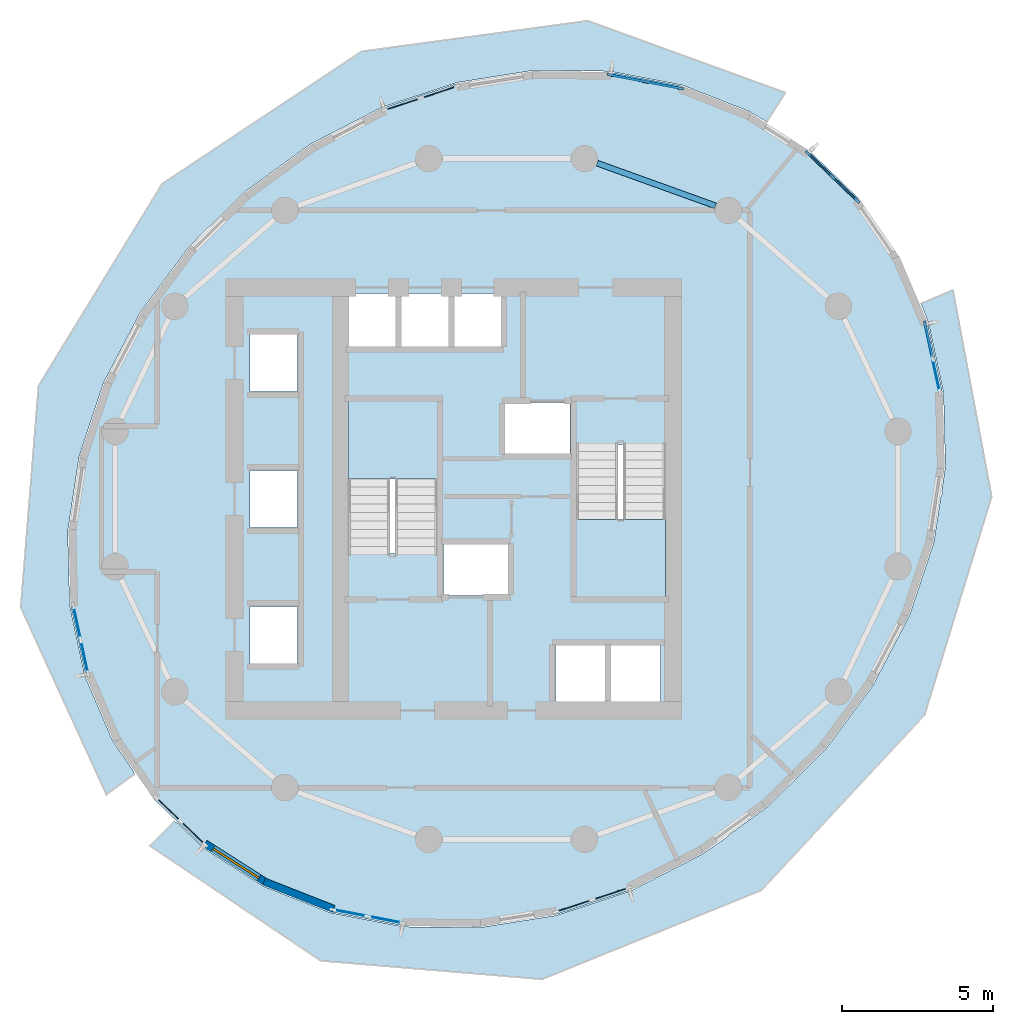
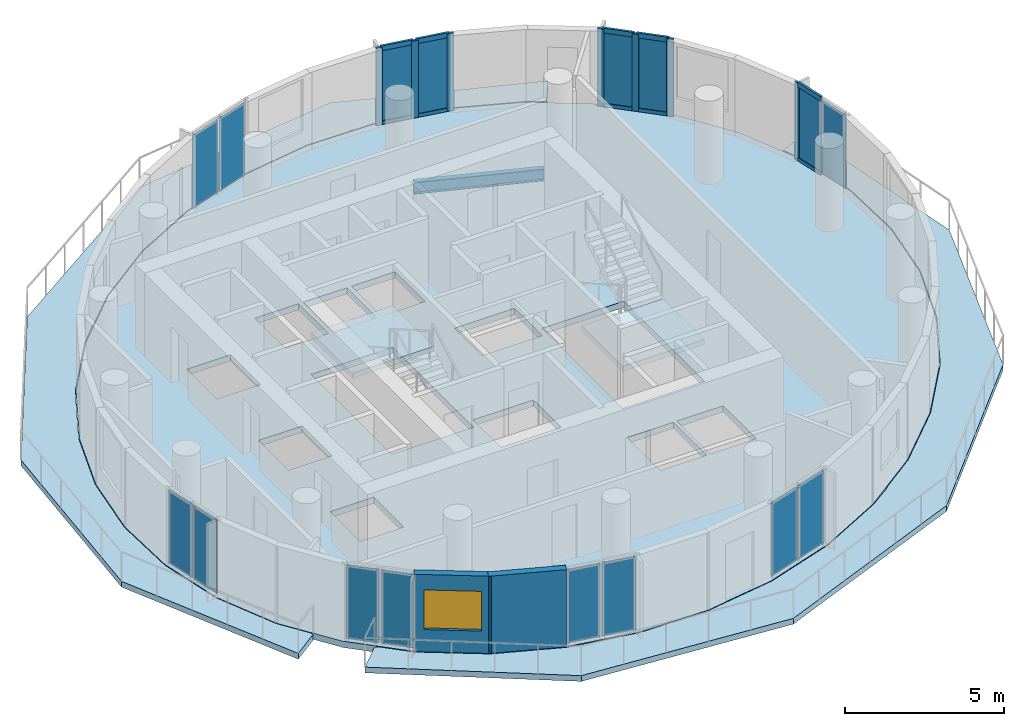
# One storey, part 2 of 9: 17 members, 16 plates, 5 slabs, 2 walls, 1 beam, 1 window, 1 opening, 10 elements without a shape of their own.
"""IFC4 building model written with IfcOpenShell, lengths in metres."""

from ifc_helpers import new_model, si_unit, direction, frame, frame_2d, origin, origin_2d, place, context, subcontext, project, spatial, polyline, rectangle, i_section, outline, extrude, material, layer, layer_set, material_profile, profile_set, type_object, element, fill, aggregate, save


model = new_model("IFC4")

# Units and contexts
model_context = context("Model", 3, precision=1e-05, world=origin(), true_north=direction((0.0, 1.0)))
body_context = subcontext(model_context, "Body", "Model", "MODEL_VIEW")
ifc_project = project(units=[si_unit("LENGTHUNIT", "METRE"), si_unit("AREAUNIT", "SQUARE_METRE"), si_unit("VOLUMEUNIT", "CUBIC_METRE"), si_unit("PLANEANGLEUNIT", "RADIAN"), si_unit("MASSUNIT", "GRAM", prefix="KILO")], contexts=[model_context])

# Site, building, storey
site_placement = place(None, origin())
site = spatial("IfcSite", under=ifc_project, at=site_placement, CompositionType="ELEMENT")
building_placement = place(site_placement, origin())
building = spatial("IfcBuilding", under=site, at=building_placement, Name="Veldorim Arch Residences", CompositionType="ELEMENT")
storey_placement = place(building_placement, frame((0.0, 0.0, 163.0400390625)))
storey = spatial("IfcBuildingStorey", under=building, at=storey_placement, Name="L48", CompositionType="ELEMENT", Elevation=163.0400390625)

# Curtain wall, members
ifc_material_1 = material(Name="Aluminium", Category="aluminium")
curtain_wall_type = type_object("IfcCurtainWallType", Name="Sky Lounge & Conservatory Tall Curtain Wall", PredefinedType="NOTDEFINED", material=ifc_material_1)
curtain_wall_1_placement = place(storey_placement, origin())
curtain_wall_1 = element("IfcCurtainWall", 1, at=curtain_wall_1_placement, inside=storey, type_object=curtain_wall_type, Name="L48 unitised curtain wall bay 01", PredefinedType="NOTDEFINED")
ifc_material_2 = material(Name="Aluminium", Category="aluminium")
ifc_material_profile_1 = material_profile(ifc_material_2, rectangle(XDim=0.080078125, YDim=0.219970703125, at=origin_2d()), Name="ALU_MUL_80x220")
ifc_profile_set_1 = profile_set([ifc_material_profile_1], Name="Aluminium")
member_type_1 = type_object("IfcMemberType", Name="Sky Lounge & Conservatory Tall Curtain Wall Mullion 80x220", PredefinedType="MULLION", material=ifc_profile_set_1)
member_1_placement = place(storey_placement, frame((41.972900390625, 35.433349609375, 0.0), z_axis=(0.0, 0.0, 1.0), x_axis=(0.693821051004, 0.720147449612, 0.0)))
member_1 = element("IfcMember", 2, at=member_1_placement, type_object=member_type_1, Name="CW-SKY mullion 1", PredefinedType="MULLION", context=body_context, shape_type="SweptSolid", body=[
    extrude(rectangle(XDim=0.080078125, YDim=0.219970703125, at=origin_2d()), origin(), (0.0, 0.0, 1.0), 2.9599609375),
])
member_2_placement = place(storey_placement, frame((42.78125, 34.654541015625, 0.0), z_axis=(0.0, 0.0, 1.0), x_axis=(0.693821051004, 0.720147449612, 0.0)))
member_2 = element("IfcMember", 3, at=member_2_placement, type_object=member_type_1, Name="CW-SKY mullion 2", PredefinedType="MULLION", context=body_context, shape_type="SweptSolid", body=[
    extrude(rectangle(XDim=0.080078125, YDim=0.219970703125, at=origin_2d()), origin(), (0.0, 0.0, 1.0), 2.9599609375),
])
member_3_placement = place(storey_placement, frame((43.58935546875, 33.875732421875, 0.0), z_axis=(0.0, 0.0, 1.0), x_axis=(0.693821051004, 0.720147449612, 0.0)))
member_3 = element("IfcMember", 4, at=member_3_placement, type_object=member_type_1, Name="CW-SKY mullion 3", PredefinedType="MULLION", context=body_context, shape_type="SweptSolid", body=[
    extrude(rectangle(XDim=0.080078125, YDim=0.219970703125, at=origin_2d()), origin(), (0.0, 0.0, 1.0), 2.9599609375),
])

curtain_wall_2_placement = place(storey_placement, origin())
curtain_wall_2 = element("IfcCurtainWall", 5, at=curtain_wall_2_placement, inside=storey, type_object=curtain_wall_type, Name="L48 unitised curtain wall bay 04", PredefinedType="NOTDEFINED")
member_4_placement = place(storey_placement, frame((35.43017578125, 38.02587890625, 0.0), z_axis=(0.0, 0.0, 1.0), x_axis=(0.187958808653, 0.98217691189, 0.0)))
member_4 = element("IfcMember", 6, at=member_4_placement, type_object=member_type_1, Name="CW-SKY mullion 1", PredefinedType="MULLION", context=body_context, shape_type="SweptSolid", body=[
    extrude(rectangle(XDim=0.080078125, YDim=0.219970703125, at=origin_2d()), origin(), (0.0, 0.0, 1.0), 2.9599609375),
])
member_5_placement = place(storey_placement, frame((36.590087890625, 37.8037109375, 0.0), z_axis=(0.0, 0.0, 1.0), x_axis=(0.187958808653, 0.98217691189, 0.0)))
member_5 = element("IfcMember", 7, at=member_5_placement, type_object=member_type_1, Name="CW-SKY mullion 2", PredefinedType="MULLION", context=body_context, shape_type="SweptSolid", body=[
    extrude(rectangle(XDim=0.080078125, YDim=0.219970703125, at=origin_2d()), origin(), (0.0, 0.0, 1.0), 2.9599609375),
])
member_6_placement = place(storey_placement, frame((37.75, 37.581787109375, 0.0), z_axis=(0.0, 0.0, 1.0), x_axis=(0.187958808653, 0.98217691189, 0.0)))
member_6 = element("IfcMember", 8, at=member_6_placement, type_object=member_type_1, Name="CW-SKY mullion 3", PredefinedType="MULLION", context=body_context, shape_type="SweptSolid", body=[
    extrude(rectangle(XDim=0.080078125, YDim=0.219970703125, at=origin_2d()), origin(), (0.0, 0.0, 1.0), 2.9599609375),
])

# Curtain wall, member
curtain_wall_3_placement = place(storey_placement, origin())
curtain_wall_3 = element("IfcCurtainWall", 9, at=curtain_wall_3_placement, inside=storey, type_object=curtain_wall_type, Name="L48 unitised curtain wall bay 34", PredefinedType="NOTDEFINED")
member_7_placement = place(storey_placement, frame((45.844482421875, 29.78369140625, 0.0), z_axis=(0.0, 0.0, 1.0), x_axis=(0.977731263882, 0.209860848248, 0.0)))
member_7 = element("IfcMember", 10, at=member_7_placement, type_object=member_type_1, Name="CW-SKY mullion 1", PredefinedType="MULLION", context=body_context, shape_type="SweptSolid", body=[
    extrude(rectangle(XDim=0.080078125, YDim=0.219970703125, at=origin_2d()), origin(), (0.0, 0.0, 1.0), 2.9599609375),
])

# Member
ifc_material_3 = material(Name="Aluminium", Category="aluminium")
ifc_material_profile_2 = material_profile(ifc_material_3, rectangle(XDim=0.080078125, YDim=0.18505859375, at=origin_2d()), Name="ALU_TRN_80x185")
ifc_profile_set_2 = profile_set([ifc_material_profile_2], Name="Aluminium")
member_type_2 = type_object("IfcMemberType", Name="Sky Lounge & Conservatory Tall Curtain Wall Transom 80x185", PredefinedType="USERDEFINED", material=ifc_profile_set_2)
member_8_placement = place(storey_placement, frame((42.001708984375, 35.405517578125, 0.0400390625), z_axis=(0.720216183195, -0.693749702316, 0.0), x_axis=(0.693749702316, 0.720216183195, 0.0)))
member_8 = element("IfcMember", 11, at=member_8_placement, type_object=member_type_2, Name="CW-SKY transom 1.1", ObjectType="TRANSOM", PredefinedType="USERDEFINED", context=body_context, shape_type="SweptSolid", body=[
    extrude(rectangle(XDim=0.080078125, YDim=0.18505859375, at=origin_2d()), origin(), (0.0, 0.0, 1.0), 1.04248046875),
])

member_9_placement = place(storey_placement, frame((42.001708984375, 35.405517578125, 2.919921875), z_axis=(0.720216183195, -0.693749702316, 0.0), x_axis=(0.693749702316, 0.720216183195, 0.0)))
member_9 = element("IfcMember", 12, at=member_9_placement, type_object=member_type_2, Name="CW-SKY transom 1.2", ObjectType="TRANSOM", PredefinedType="USERDEFINED", context=body_context, shape_type="SweptSolid", body=[
    extrude(rectangle(XDim=0.080078125, YDim=0.18505859375, at=origin_2d()), origin(), (0.0, 0.0, 1.0), 1.04248046875),
])

member_10_placement = place(storey_placement, frame((42.81005859375, 34.626708984375, 0.0400390625), z_axis=(0.720103428854, -0.693866739189, 0.0), x_axis=(0.693866739189, 0.720103428854, 0.0)))
member_10 = element("IfcMember", 13, at=member_10_placement, type_object=member_type_2, Name="CW-SKY transom 2.1", ObjectType="TRANSOM", PredefinedType="USERDEFINED", context=body_context, shape_type="SweptSolid", body=[
    extrude(rectangle(XDim=0.080078125, YDim=0.18505859375, at=origin_2d()), origin(), (0.0, 0.0, 1.0), 1.042236328125),
])

member_11_placement = place(storey_placement, frame((42.81005859375, 34.626708984375, 2.919921875), z_axis=(0.720103428854, -0.693866739189, 0.0), x_axis=(0.693866739189, 0.720103428854, 0.0)))
member_11 = element("IfcMember", 14, at=member_11_placement, type_object=member_type_2, Name="CW-SKY transom 2.2", ObjectType="TRANSOM", PredefinedType="USERDEFINED", context=body_context, shape_type="SweptSolid", body=[
    extrude(rectangle(XDim=0.080078125, YDim=0.18505859375, at=origin_2d()), origin(), (0.0, 0.0, 1.0), 1.042236328125),
])

member_12_placement = place(storey_placement, frame((35.469482421875, 38.018310546875, 0.0400390625), z_axis=(0.982159549289, -0.188049514066, 0.0), x_axis=(0.188049514066, 0.982159549289, 0.0)))
member_12 = element("IfcMember", 15, at=member_12_placement, type_object=member_type_2, Name="CW-SKY transom 1.1", ObjectType="TRANSOM", PredefinedType="USERDEFINED", context=body_context, shape_type="SweptSolid", body=[
    extrude(rectangle(XDim=0.080078125, YDim=0.18505859375, at=origin_2d()), origin(), (0.0, 0.0, 1.0), 1.100830078125),
])

member_13_placement = place(storey_placement, frame((35.469482421875, 38.018310546875, 2.919921875), z_axis=(0.982159549289, -0.188049514066, 0.0), x_axis=(0.188049514066, 0.982159549289, 0.0)))
member_13 = element("IfcMember", 16, at=member_13_placement, type_object=member_type_2, Name="CW-SKY transom 1.2", ObjectType="TRANSOM", PredefinedType="USERDEFINED", context=body_context, shape_type="SweptSolid", body=[
    extrude(rectangle(XDim=0.080078125, YDim=0.18505859375, at=origin_2d()), origin(), (0.0, 0.0, 1.0), 1.100830078125),
])

member_14_placement = place(storey_placement, frame((36.62939453125, 37.79638671875, 0.0400390625), z_axis=(0.982167388619, -0.188008565587, 0.0), x_axis=(0.188008565587, 0.982167388619, 0.0)))
member_14 = element("IfcMember", 17, at=member_14_placement, type_object=member_type_2, Name="CW-SKY transom 2.1", ObjectType="TRANSOM", PredefinedType="USERDEFINED", context=body_context, shape_type="SweptSolid", body=[
    extrude(rectangle(XDim=0.080078125, YDim=0.18505859375, at=origin_2d()), origin(), (0.0, 0.0, 1.0), 1.10107421875),
])

member_15_placement = place(storey_placement, frame((36.62939453125, 37.79638671875, 2.919921875), z_axis=(0.982167388619, -0.188008565587, 0.0), x_axis=(0.188008565587, 0.982167388619, 0.0)))
member_15 = element("IfcMember", 18, at=member_15_placement, type_object=member_type_2, Name="CW-SKY transom 2.2", ObjectType="TRANSOM", PredefinedType="USERDEFINED", context=body_context, shape_type="SweptSolid", body=[
    extrude(rectangle(XDim=0.080078125, YDim=0.18505859375, at=origin_2d()), origin(), (0.0, 0.0, 1.0), 1.10107421875),
])

member_16_placement = place(storey_placement, frame((45.852783203125, 29.744384765625, 0.0400390625), z_axis=(0.209870698833, -0.977729149494, 0.0), x_axis=(0.977729149494, 0.209870698833, 0.0)))
member_16 = element("IfcMember", 19, at=member_16_placement, type_object=member_type_2, Name="CW-SKY transom 1.1", ObjectType="TRANSOM", PredefinedType="USERDEFINED", context=body_context, shape_type="SweptSolid", body=[
    extrude(rectangle(XDim=0.080078125, YDim=0.18505859375, at=origin_2d()), origin(), (0.0, 0.0, 1.0), 1.07373046875),
])

member_17_placement = place(storey_placement, frame((45.852783203125, 29.744384765625, 2.919921875), z_axis=(0.209870698833, -0.977729149494, 0.0), x_axis=(0.977729149494, 0.209870698833, 0.0)))
member_17 = element("IfcMember", 20, at=member_17_placement, type_object=member_type_2, Name="CW-SKY transom 1.2", ObjectType="TRANSOM", PredefinedType="USERDEFINED", context=body_context, shape_type="SweptSolid", body=[
    extrude(rectangle(XDim=0.080078125, YDim=0.18505859375, at=origin_2d()), origin(), (0.0, 0.0, 1.0), 1.07373046875),
])

# Beam
ifc_material_4 = material(Name="Steel S355", Category="steel")
ifc_material_profile_3 = material_profile(ifc_material_4, i_section(OverallWidth=0.19140625, OverallDepth=0.4599609375, WebThickness=0.010009765625, FlangeThickness=0.01611328125, at=origin_2d()), Name="UB457x191x82")
ifc_profile_set_3 = profile_set([ifc_material_profile_3], Name="Steel S355")
beam_type = type_object("IfcBeamType", Name="Structural Steel Spandrel UB457x191x82", PredefinedType="SPANDREL", material=ifc_profile_set_3)
beam_placement = place(storey_placement, frame((38.91015625, 33.69775390625, -0.469970703125), z_axis=(-0.940811035395, 0.338931550137, 0.0), x_axis=(-0.338931550137, -0.940811035395, 0.0)))
element("IfcBeam", 21, at=beam_placement, inside=storey, type_object=beam_type, Name="L48 perimeter ring tie beam 03", PredefinedType="SPANDREL", context=body_context, shape_type="SweptSolid", body=[
    extrude(i_section(OverallWidth=0.19140625, OverallDepth=0.4599609375, WebThickness=0.010009765625, FlangeThickness=0.01611328125, at=origin_2d()), origin(), (0.0, 0.0, 1.0), 4.15771484375),
])

# Slabs
ifc_material_5 = material(Name="Concrete C40/50", Category="concrete")
ifc_layer_1 = layer(ifc_material_5, 0.219970703125, Name="Planted Crescent Cantilever Balcony Slab 220")
ifc_layer_set_1 = layer_set([ifc_layer_1], Name="Concrete C40/50")
slab_type_1 = type_object("IfcSlabType", Name="Planted Crescent Cantilever Balcony Slab 220", PredefinedType="FLOOR", material=ifc_layer_set_1)
slab_1_placement = place(storey_placement, frame((0.0, 0.0, -0.219970703125)))
element("IfcSlab", 22, at=slab_1_placement, inside=storey, type_object=slab_type_1, Name="L48 planted crescent balcony slab A", PredefinedType="FLOOR", context=body_context, shape_type="SweptSolid", body=[
    extrude(outline(polyline([(40.608642578125, 36.47314453125), (40.039794921875, 36.810791015625), (37.813232421875, 37.686767578125), (35.410400390625, 38.146728515625), (34.60693359375, 38.15625), (34.51416015625, 38.182373046875), (34.389892578125, 38.158935546875), (32.904052734375, 38.176513671875), (30.370361328125, 37.77587890625), (27.88623046875, 36.956787109375), (25.52734375, 35.744140625), (23.364990234375, 34.1748046875), (22.23291015625, 33.055908203125), (22.132568359375, 32.987060546875), (21.46484375, 32.29638671875), (19.884765625, 30.166259765625), (18.672607421875, 27.848388671875), (17.864990234375, 25.413818359375), (17.487060546875, 22.935791015625), (17.550048828125, 20.489990234375), (18.052001953125, 18.15087890625), (18.978271484375, 15.989013671875), (19.647216796875, 15.0185546875), (19.6923828125, 14.8955078125), (18.76123046875, 14.220947265625), (15.9287109375, 20.412841796875), (16.516845703125, 27.74609375), (20.603759765625, 34.4267578125), (27.201904296875, 38.805908203125), (34.688720703125, 39.820556640625), (41.226318359375, 37.443359375), (40.608642578125, 36.47314453125)])), origin(), (0.0, 0.0, 1.0), 0.219970703125),
])
slab_2_placement = place(storey_placement, frame((0.0, 0.0, -0.219970703125)))
element("IfcSlab", 23, at=slab_2_placement, inside=storey, type_object=slab_type_1, Name="L48 planted crescent balcony slab B", PredefinedType="FLOOR", context=body_context, shape_type="SweptSolid", body=[
    extrude(outline(polyline([(21.129150390625, 13.272216796875), (21.977783203125, 12.45458984375), (23.960205078125, 11.189208984375), (26.186767578125, 10.313232421875), (28.589599609375, 9.853271484375), (31.095947265625, 9.823486328125), (33.629638671875, 10.22412109375), (36.11376953125, 11.043212890625), (38.47265625, 12.255859375), (39.2626953125, 12.80224609375), (39.347412109375, 12.890625), (40.635009765625, 13.8251953125), (42.53515625, 15.70361328125), (44.115234375, 17.833740234375), (45.327392578125, 20.151611328125), (46.135009765625, 22.586181640625), (46.35888671875, 24.055419921875), (46.40234375, 24.17431640625), (46.391845703125, 24.27001953125), (46.512939453125, 25.064208984375), (46.449951171875, 27.510009765625), (45.947998046875, 29.84912109375), (45.707275390625, 30.465576171875), (46.764892578125, 30.9169921875), (48.04736328125, 24.079833984375), (45.82861328125, 16.857666015625), (40.4345703125, 11.059814453125), (33.17822265625, 8.11376953125), (25.8466796875, 8.72607421875), (20.197998046875, 12.52783203125), (21.01513671875, 13.337158203125), (21.129150390625, 13.272216796875)])), origin(), (0.0, 0.0, 1.0), 0.219970703125),
])

# Stair, slab
ifc_material_6 = material(Name="Concrete C40/50", Category="concrete")
stair_type = type_object("IfcStairType", Name="Reinforced Concrete Dogleg Exit Staircase", PredefinedType="HALF_TURN_STAIR", material=ifc_material_6)
stair_1_placement = place(storey_placement, origin())
stair_1 = element("IfcStair", 24, at=stair_1_placement, inside=storey, type_object=stair_type, Name="L48 Exit Staircase ST-1", PredefinedType="HALF_TURN_STAIR")
ifc_material_7 = material(Name="Concrete C40/50", Category="concrete")
ifc_layer_2 = layer(ifc_material_7, 0.199951171875, Name="Reinforced Concrete Stair Landing 200")
ifc_layer_set_2 = layer_set([ifc_layer_2], Name="Concrete C40/50")
slab_type_2 = type_object("IfcSlabType", Name="Reinforced Concrete Stair Landing 200", PredefinedType="LANDING", material=ifc_layer_set_2)
slab_3_placement = place(storey_placement, frame((0.0, 0.0, 1.39990234375)))
slab_3 = element("IfcSlab", 25, at=slab_3_placement, type_object=slab_type_2, Name="ST-1 landing 1", PredefinedType="LANDING", context=body_context, shape_type="SweptSolid", body=[
    extrude(outline(polyline([(29.7099609375, 24.669921875), (29.7099609375, 27.25), (26.75, 27.25), (26.75, 24.669921875), (29.7099609375, 24.669921875)])), origin(), (0.0, 0.0, 1.0), 0.199951171875),
])
aggregate(stair_1, [slab_3])

stair_2_placement = place(storey_placement, origin())
stair_2 = element("IfcStair", 26, at=stair_2_placement, inside=storey, type_object=stair_type, Name="L48 Exit Staircase ST-2", PredefinedType="HALF_TURN_STAIR")
slab_4_placement = place(storey_placement, frame((0.0, 0.0, 1.39990234375)))
slab_4 = element("IfcSlab", 27, at=slab_4_placement, type_object=slab_type_2, Name="ST-2 landing 1", PredefinedType="LANDING", context=body_context, shape_type="SweptSolid", body=[
    extrude(outline(polyline([(34.2900390625, 23.330078125), (34.2900390625, 20.75), (37.25, 20.75), (37.25, 23.330078125), (34.2900390625, 23.330078125)])), origin(), (0.0, 0.0, 1.0), 0.199951171875),
])
aggregate(stair_2, [slab_4])

# Plate
ifc_material_8 = material(Name="Laminated Low-E Glass", Category="glass")
ifc_layer_3 = layer(ifc_material_8, 0.031982421875, Name="Sky Lounge & Conservatory Tall Curtain Wall Glazing Panel 32")
ifc_layer_set_3 = layer_set([ifc_layer_3], Name="Laminated Low-E Glass")
plate_type = type_object("IfcPlateType", Name="Sky Lounge & Conservatory Tall Curtain Wall Glazing Panel 32", PredefinedType="CURTAIN_PANEL", material=ifc_layer_set_3)
plate_1_placement = place(storey_placement, frame((42.376953125, 35.0439453125, 0.080078125), z_axis=(0.0, 0.0, 1.0), x_axis=(0.720147449612, -0.693821051004, 0.0)))
plate_1 = element("IfcPlate", 28, at=plate_1_placement, type_object=plate_type, Name="CW-SKY panel 1.1", PredefinedType="CURTAIN_PANEL", context=body_context, shape_type="SweptSolid", body=[
    extrude(rectangle(XDim=1.042236328125, YDim=0.031982421875, at=origin_2d()), origin(), (0.0, 0.0, 1.0), 2.800048828125),
])

plate_2_placement = place(storey_placement, frame((43.185302734375, 34.26513671875, 0.080078125), z_axis=(0.0, 0.0, 1.0), x_axis=(0.720147449612, -0.693821051004, 0.0)))
plate_2 = element("IfcPlate", 29, at=plate_2_placement, type_object=plate_type, Name="CW-SKY panel 2.1", PredefinedType="CURTAIN_PANEL", context=body_context, shape_type="SweptSolid", body=[
    extrude(rectangle(XDim=1.042236328125, YDim=0.031982421875, at=origin_2d()), origin(), (0.0, 0.0, 1.0), 2.800048828125),
])

aggregate(curtain_wall_1, [member_1, member_2, member_3, member_8, member_9, plate_1, member_10, member_11, plate_2])

plate_3_placement = place(storey_placement, frame((36.01025390625, 37.914794921875, 0.080078125), z_axis=(0.0, 0.0, 1.0), x_axis=(0.98217691189, -0.187958808653, 0.0)))
plate_3 = element("IfcPlate", 30, at=plate_3_placement, type_object=plate_type, Name="CW-SKY panel 1.1", PredefinedType="CURTAIN_PANEL", context=body_context, shape_type="SweptSolid", body=[
    extrude(rectangle(XDim=1.10107421875, YDim=0.031982421875, at=origin_2d()), origin(), (0.0, 0.0, 1.0), 2.800048828125),
])

plate_4_placement = place(storey_placement, frame((37.170166015625, 37.69287109375, 0.080078125), z_axis=(0.0, 0.0, 1.0), x_axis=(0.98217691189, -0.187958808653, 0.0)))
plate_4 = element("IfcPlate", 31, at=plate_4_placement, type_object=plate_type, Name="CW-SKY panel 2.1", PredefinedType="CURTAIN_PANEL", context=body_context, shape_type="SweptSolid", body=[
    extrude(rectangle(XDim=1.10107421875, YDim=0.031982421875, at=origin_2d()), origin(), (0.0, 0.0, 1.0), 2.800048828125),
])

aggregate(curtain_wall_2, [member_4, member_5, member_6, member_12, member_13, plate_3, member_14, member_15, plate_4])

# Curtain wall, plates
curtain_wall_4_placement = place(storey_placement, origin())
curtain_wall_4 = element("IfcCurtainWall", 32, at=curtain_wall_4_placement, inside=storey, type_object=curtain_wall_type, Name="L48 unitised curtain wall bay 07", PredefinedType="NOTDEFINED")
plate_5_placement = place(storey_placement, frame((28.563232421875, 37.058837890625, 0.080078125), z_axis=(0.0, 0.0, 1.0), x_axis=(0.949693125258, 0.313182004333, 0.0)))
plate_5 = element("IfcPlate", 33, at=plate_5_placement, type_object=plate_type, Name="CW-SKY panel 1.1", PredefinedType="CURTAIN_PANEL", context=body_context, shape_type="SweptSolid", body=[
    extrude(rectangle(XDim=1.185791015625, YDim=0.031982421875, at=origin_2d()), origin(), (0.0, 0.0, 1.0), 2.800048828125),
])
plate_6_placement = place(storey_placement, frame((29.765380859375, 37.455322265625, 0.080078125), z_axis=(0.0, 0.0, 1.0), x_axis=(0.949693125258, 0.313182004333, 0.0)))
plate_6 = element("IfcPlate", 34, at=plate_6_placement, type_object=plate_type, Name="CW-SKY panel 2.1", PredefinedType="CURTAIN_PANEL", context=body_context, shape_type="SweptSolid", body=[
    extrude(rectangle(XDim=1.185791015625, YDim=0.031982421875, at=origin_2d()), origin(), (0.0, 0.0, 1.0), 2.800048828125),
])
aggregate(curtain_wall_4, [plate_5, plate_6])

curtain_wall_5_placement = place(storey_placement, origin())
curtain_wall_5 = element("IfcCurtainWall", 35, at=curtain_wall_5_placement, inside=storey, type_object=curtain_wall_type, Name="L48 unitised curtain wall bay 16", PredefinedType="NOTDEFINED")
plate_7_placement = place(storey_placement, frame((18.034423828125, 18.780517578125, 0.080078125), z_axis=(0.0, 0.0, 1.0), x_axis=(-0.209860848248, 0.977731263882, 0.0)))
plate_7 = element("IfcPlate", 36, at=plate_7_placement, type_object=plate_type, Name="CW-SKY panel 1.1", PredefinedType="CURTAIN_PANEL", context=body_context, shape_type="SweptSolid", body=[
    extrude(rectangle(XDim=1.073974609375, YDim=0.031982421875, at=origin_2d()), origin(), (0.0, 0.0, 1.0), 2.800048828125),
])
plate_8_placement = place(storey_placement, frame((17.79248046875, 19.90869140625, 0.080078125), z_axis=(0.0, 0.0, 1.0), x_axis=(-0.209860848248, 0.977731263882, 0.0)))
plate_8 = element("IfcPlate", 37, at=plate_8_placement, type_object=plate_type, Name="CW-SKY panel 2.1", PredefinedType="CURTAIN_PANEL", context=body_context, shape_type="SweptSolid", body=[
    extrude(rectangle(XDim=1.073974609375, YDim=0.031982421875, at=origin_2d()), origin(), (0.0, 0.0, 1.0), 2.800048828125),
])
aggregate(curtain_wall_5, [plate_7, plate_8])

curtain_wall_6_placement = place(storey_placement, origin())
curtain_wall_6 = element("IfcCurtainWall", 38, at=curtain_wall_6_placement, inside=storey, type_object=curtain_wall_type, Name="L48 unitised curtain wall bay 19", PredefinedType="NOTDEFINED")
plate_9_placement = place(storey_placement, frame((21.623046875, 12.9560546875, 0.080078125), z_axis=(0.0, 0.0, 1.0), x_axis=(-0.720147449612, 0.693821051004, 0.0)))
plate_9 = element("IfcPlate", 39, at=plate_9_placement, type_object=plate_type, Name="CW-SKY panel 1.1", PredefinedType="CURTAIN_PANEL", context=body_context, shape_type="SweptSolid", body=[
    extrude(rectangle(XDim=1.042236328125, YDim=0.031982421875, at=origin_2d()), origin(), (0.0, 0.0, 1.0), 2.800048828125),
])
plate_10_placement = place(storey_placement, frame((20.814697265625, 13.73486328125, 0.080078125), z_axis=(0.0, 0.0, 1.0), x_axis=(-0.720147449612, 0.693821051004, 0.0)))
plate_10 = element("IfcPlate", 40, at=plate_10_placement, type_object=plate_type, Name="CW-SKY panel 2.1", PredefinedType="CURTAIN_PANEL", context=body_context, shape_type="SweptSolid", body=[
    extrude(rectangle(XDim=1.042236328125, YDim=0.031982421875, at=origin_2d()), origin(), (0.0, 0.0, 1.0), 2.800048828125),
])
aggregate(curtain_wall_6, [plate_9, plate_10])

curtain_wall_7_placement = place(storey_placement, origin())
curtain_wall_7 = element("IfcCurtainWall", 41, at=curtain_wall_7_placement, inside=storey, type_object=curtain_wall_type, Name="L48 unitised curtain wall bay 22", PredefinedType="NOTDEFINED")
plate_11_placement = place(storey_placement, frame((27.98974609375, 10.085205078125, 0.080078125), z_axis=(0.0, 0.0, 1.0), x_axis=(-0.98217691189, 0.187958808653, 0.0)))
plate_11 = element("IfcPlate", 42, at=plate_11_placement, type_object=plate_type, Name="CW-SKY panel 1.1", PredefinedType="CURTAIN_PANEL", context=body_context, shape_type="SweptSolid", body=[
    extrude(rectangle(XDim=1.10107421875, YDim=0.031982421875, at=origin_2d()), origin(), (0.0, 0.0, 1.0), 2.800048828125),
])
plate_12_placement = place(storey_placement, frame((26.829833984375, 10.30712890625, 0.080078125), z_axis=(0.0, 0.0, 1.0), x_axis=(-0.98217691189, 0.187958808653, 0.0)))
plate_12 = element("IfcPlate", 43, at=plate_12_placement, type_object=plate_type, Name="CW-SKY panel 2.1", PredefinedType="CURTAIN_PANEL", context=body_context, shape_type="SweptSolid", body=[
    extrude(rectangle(XDim=1.10107421875, YDim=0.031982421875, at=origin_2d()), origin(), (0.0, 0.0, 1.0), 2.800048828125),
])
aggregate(curtain_wall_7, [plate_11, plate_12])

curtain_wall_8_placement = place(storey_placement, origin())
curtain_wall_8 = element("IfcCurtainWall", 44, at=curtain_wall_8_placement, inside=storey, type_object=curtain_wall_type, Name="L48 unitised curtain wall bay 25", PredefinedType="NOTDEFINED")
plate_13_placement = place(storey_placement, frame((35.436767578125, 10.941162109375, 0.080078125), z_axis=(0.0, 0.0, 1.0), x_axis=(-0.949693125258, -0.313182004333, 0.0)))
plate_13 = element("IfcPlate", 45, at=plate_13_placement, type_object=plate_type, Name="CW-SKY panel 1.1", PredefinedType="CURTAIN_PANEL", context=body_context, shape_type="SweptSolid", body=[
    extrude(rectangle(XDim=1.185791015625, YDim=0.031982421875, at=origin_2d()), origin(), (0.0, 0.0, 1.0), 2.800048828125),
])
plate_14_placement = place(storey_placement, frame((34.234619140625, 10.544677734375, 0.080078125), z_axis=(0.0, 0.0, 1.0), x_axis=(-0.949693125258, -0.313182004333, 0.0)))
plate_14 = element("IfcPlate", 46, at=plate_14_placement, type_object=plate_type, Name="CW-SKY panel 2.1", PredefinedType="CURTAIN_PANEL", context=body_context, shape_type="SweptSolid", body=[
    extrude(rectangle(XDim=1.185791015625, YDim=0.031982421875, at=origin_2d()), origin(), (0.0, 0.0, 1.0), 2.800048828125),
])
aggregate(curtain_wall_8, [plate_13, plate_14])

# Plate
plate_15_placement = place(storey_placement, frame((45.965576171875, 29.219482421875, 0.080078125), z_axis=(0.0, 0.0, 1.0), x_axis=(0.209860848248, -0.977731263882, 0.0)))
plate_15 = element("IfcPlate", 47, at=plate_15_placement, type_object=plate_type, Name="CW-SKY panel 1.1", PredefinedType="CURTAIN_PANEL", context=body_context, shape_type="SweptSolid", body=[
    extrude(rectangle(XDim=1.073974609375, YDim=0.031982421875, at=origin_2d()), origin(), (0.0, 0.0, 1.0), 2.800048828125),
])

plate_16_placement = place(storey_placement, frame((46.20751953125, 28.09130859375, 0.080078125), z_axis=(0.0, 0.0, 1.0), x_axis=(0.209860848248, -0.977731263882, 0.0)))
plate_16 = element("IfcPlate", 48, at=plate_16_placement, type_object=plate_type, Name="CW-SKY panel 2.1", PredefinedType="CURTAIN_PANEL", context=body_context, shape_type="SweptSolid", body=[
    extrude(rectangle(XDim=1.073974609375, YDim=0.031982421875, at=origin_2d()), origin(), (0.0, 0.0, 1.0), 2.800048828125),
])

aggregate(curtain_wall_3, [member_7, member_16, member_17, plate_15, plate_16])

# Slab
ifc_material_9 = material(Name="Concrete C40/50", Category="concrete")
ifc_layer_4 = layer(ifc_material_9, 0.239990234375, Name="Typical Residential Floor Slab 240")
ifc_layer_set_4 = layer_set([ifc_layer_4], Name="Concrete C40/50")
slab_type_3 = type_object("IfcSlabType", Name="Typical Residential Floor Slab 240", PredefinedType="FLOOR", material=ifc_layer_set_4)
slab_5_placement = place(storey_placement, frame((0.0, 0.0, -0.239990234375)))
element("IfcSlab", 49, at=slab_5_placement, inside=storey, type_object=slab_type_3, Name="L48 tower structural floor slab", PredefinedType="FLOOR", context=body_context, shape_type="SweptSolid", body=[
    extrude(outline(polyline([(43.6806640625, 33.912841796875), (42.006591796875, 35.52587890625), (40.0283203125, 36.78857421875), (37.806396484375, 37.66259765625), (35.40771484375, 38.12158203125), (32.90576171875, 38.151611328125), (30.376220703125, 37.751708984375), (27.89599609375, 36.93359375), (25.54052734375, 35.722900390625), (23.381103515625, 34.15576171875), (21.48388671875, 32.280029296875), (19.906005859375, 30.15283203125), (18.695556640625, 27.838623046875), (17.889404296875, 25.407958984375), (17.51220703125, 22.934326171875), (17.574951171875, 20.492919921875), (18.075927734375, 18.158447265625), (19.000244140625, 16.001220703125), (20.3193359375, 14.087158203125), (21.993408203125, 12.47412109375), (23.9716796875, 11.21142578125), (26.193603515625, 10.33740234375), (28.59228515625, 9.87841796875), (31.09423828125, 9.848388671875), (33.623779296875, 10.248291015625), (36.10400390625, 11.06640625), (38.45947265625, 12.277099609375), (40.618896484375, 13.84423828125), (42.51611328125, 15.719970703125), (44.093994140625, 17.84716796875), (45.304443359375, 20.161376953125), (46.110595703125, 22.592041015625), (46.48779296875, 25.065673828125), (46.425048828125, 27.507080078125), (45.924072265625, 29.841552734375), (44.999755859375, 31.998779296875), (43.6806640625, 33.912841796875)]), holes=[polyline([(23.510009765625, 18.56005859375), (23.510009765625, 20.43994140625), (25.090087890625, 20.43994140625), (25.090087890625, 18.56005859375), (23.510009765625, 18.56005859375)]), polyline([(23.510009765625, 24.93994140625), (25.090087890625, 24.93994140625), (25.090087890625, 23.06005859375), (23.510009765625, 23.06005859375), (23.510009765625, 24.93994140625)]), polyline([(26.75, 27.25), (29.7099609375, 27.25), (29.7099609375, 22.195068359375), (26.75, 22.195068359375), (26.75, 27.25)]), polyline([(23.510009765625, 27.56005859375), (23.510009765625, 29.43994140625), (25.090087890625, 29.43994140625), (25.090087890625, 27.56005859375), (23.510009765625, 27.56005859375)]), polyline([(26.760009765625, 30.7900390625), (28.340087890625, 30.7900390625), (28.340087890625, 28.909912109375), (26.760009765625, 28.909912109375), (26.760009765625, 30.7900390625)]), polyline([(28.510009765625, 30.7900390625), (30.090087890625, 30.7900390625), (30.090087890625, 28.909912109375), (28.510009765625, 28.909912109375), (28.510009765625, 30.7900390625)]), polyline([(33.610107421875, 17.2099609375), (33.610107421875, 19.2900390625), (35.2900390625, 19.2900390625), (35.2900390625, 17.2099609375), (33.610107421875, 17.2099609375)]), polyline([(35.409912109375, 19.2900390625), (37.090087890625, 19.2900390625), (37.090087890625, 17.2099609375), (35.409912109375, 17.2099609375), (35.409912109375, 19.2900390625)]), polyline([(29.909912109375, 22.544921875), (32.090087890625, 22.544921875), (32.090087890625, 20.81494140625), (29.909912109375, 20.81494140625), (29.909912109375, 22.544921875)]), polyline([(34.2900390625, 20.75), (34.2900390625, 25.804931640625), (37.25, 25.804931640625), (37.25, 20.75), (34.2900390625, 20.75)]), polyline([(31.909912109375, 27.18505859375), (34.090087890625, 27.18505859375), (34.090087890625, 25.455078125), (31.909912109375, 25.455078125), (31.909912109375, 27.18505859375)]), polyline([(30.260009765625, 30.7900390625), (31.840087890625, 30.7900390625), (31.840087890625, 28.909912109375), (30.260009765625, 28.909912109375), (30.260009765625, 30.7900390625)])]), origin(), (0.0, 0.0, 1.0), 0.239990234375),
])

# Wall, opening, window
ifc_material_10 = material(Name="Precast concrete C40/50", Category="concrete")
ifc_layer_5 = layer(ifc_material_10, 0.25, Name="Tower Terracotta Spandrel & Pier Wall 250")
ifc_layer_set_5 = layer_set([ifc_layer_5], Name="Precast concrete C40/50")
wall_type = type_object("IfcWallType", Name="Tower Terracotta Spandrel & Pier Wall 250", PredefinedType="SOLIDWALL", material=ifc_layer_set_5)
wall_1_placement = place(storey_placement, frame((24.076904296875, 11.292724609375, 0.0), z_axis=(0.0, 0.0, 1.0), x_axis=(-0.842951209937, 0.537990016325, 0.0)))
wall_1 = element("IfcWall", 50, at=wall_1_placement, inside=storey, type_object=wall_type, Name="L48 terracotta facade wall 20", PredefinedType="SOLIDWALL", context=body_context, shape_type="SweptSolid", body=[
    extrude(rectangle(XDim=2.43701171875, YDim=0.25, at=frame_2d((1.218505859375, 0.0))), origin(), (0.0, 0.0, 1.0), 2.9599609375),
])
opening_placement = place(wall_1_placement, frame((0.318115234375, 0.0, 0.85009765625)))
opening = element("IfcOpeningElement", 51, at=opening_placement, cuts=wall_1, Name="Opening WN-04", PredefinedType="OPENING", context=body_context, shape_type="SweptSolid", body=[
    extrude(rectangle(XDim=1.800048828125, YDim=1.52001953125, at=frame_2d((0.89990234375, 0.760009765625))), frame((0.0, 0.135009765625, 0.0), z_axis=(0.0, -1.0, 0.0), x_axis=(1.0, 0.0, 0.0)), (0.0, 0.0, 1.0), 0.27001953125),
])
ifc_material_11 = material(Name="Laminated Low-E Glass", Category="glass")
window_type = type_object("IfcWindowType", Name="Sky Lounge Tall Picture Window 1800x1370", PartitioningType="SINGLE_PANEL", PredefinedType="WINDOW", material=ifc_material_11)
window_placement = place(opening_placement, origin())
window = element("IfcWindow", 52, at=window_placement, inside=storey, type_object=window_type, Name="L48 solar-control facade window 20", OverallHeight=1.52001953125, OverallWidth=1.800048828125, PartitioningType="SINGLE_PANEL", PredefinedType="WINDOW", context=body_context, shape_type="SweptSolid", body=[
    extrude(rectangle(XDim=1.800048828125, YDim=1.52001953125, at=frame_2d((0.89990234375, 0.760009765625))), frame((0.0, 0.030029296875, 0.0), z_axis=(0.0, -1.0, 0.0), x_axis=(1.0, 0.0, 0.0)), (0.0, 0.0, 1.0), 0.06005859375),
])
fill(opening, window)

# Wall
wall_2_placement = place(storey_placement, frame((26.28125, 10.43701171875, 0.0), z_axis=(0.0, 0.0, 1.0), x_axis=(-0.930554944455, 0.366152284371, 0.0)))
element("IfcWall", 53, at=wall_2_placement, inside=storey, type_object=wall_type, Name="L48 terracotta facade wall 21", PredefinedType="SOLIDWALL", context=body_context, shape_type="SweptSolid", body=[
    extrude(rectangle(XDim=2.477783203125, YDim=0.25, at=frame_2d((1.23876953125, 0.0))), origin(), (0.0, 0.0, 1.0), 2.9599609375),
])

save(model, "model.ifc")
